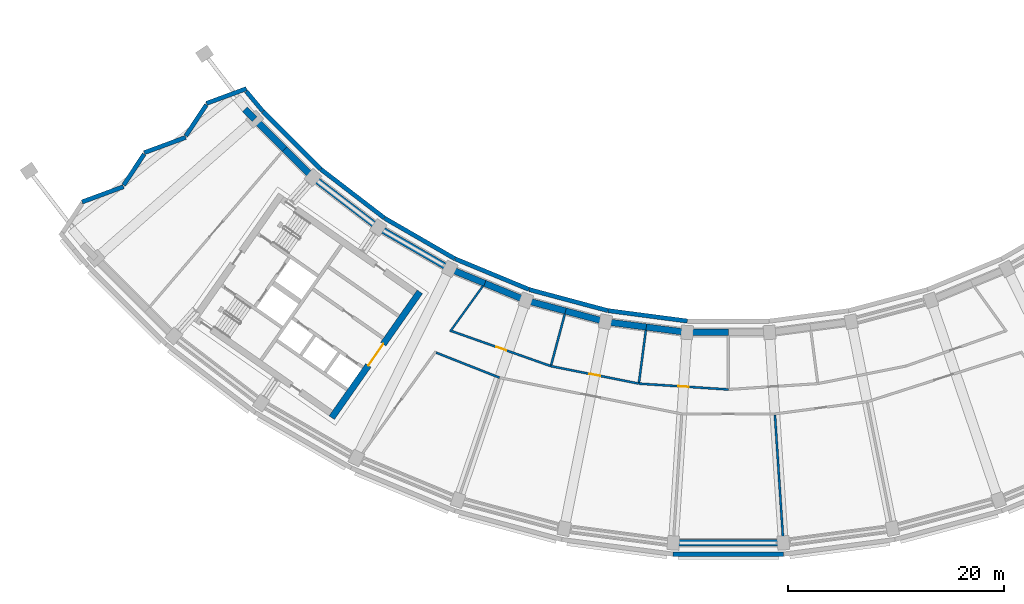
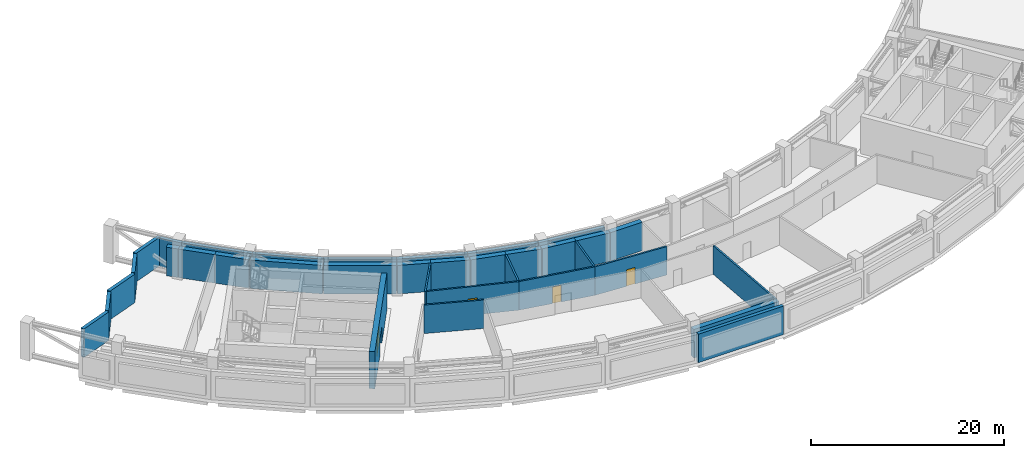
# One storey, part 6 of 24: 35 walls, 4 doors, 4 openings.
"""IFC4 building model written with IfcOpenShell, lengths in metres."""

from ifc_helpers import new_model, si_unit, direction, frame, frame_2d, origin, place, context, subcontext, project, spatial, rectangle, extrude, material, layer, layer_set, type_object, element, fill, save


model = new_model("IFC4")

# Units and contexts
model_context = context("Model", 3, precision=1e-05, world=origin(), true_north=direction((0.0, 1.0)))
body_context = subcontext(model_context, "Body", "Model", "MODEL_VIEW")
ifc_project = project(units=[si_unit("LENGTHUNIT", "METRE"), si_unit("AREAUNIT", "SQUARE_METRE"), si_unit("VOLUMEUNIT", "CUBIC_METRE"), si_unit("PLANEANGLEUNIT", "RADIAN"), si_unit("MASSUNIT", "GRAM", prefix="KILO")], contexts=[model_context])

# Site, building, storey
site_placement = place(None, origin())
site = spatial("IfcSite", under=ifc_project, at=site_placement, CompositionType="ELEMENT")
building_placement = place(site_placement, origin())
building = spatial("IfcBuilding", under=site, at=building_placement, Name="Qamariyya Broadcast Tower", CompositionType="ELEMENT")
storey_placement = place(building_placement, frame((0.0, 0.0, 198.699951171875)))
storey = spatial("IfcBuildingStorey", under=building, at=storey_placement, Name="L47", CompositionType="ELEMENT", Elevation=198.699951171875)

# Wall, opening, door
ifc_material_1 = material(Name="Concrete C60/75", Category="concrete")
ifc_layer_1 = layer(ifc_material_1, 0.60009765625)
ifc_layer_set_1 = layer_set([ifc_layer_1], Name="Core wall 600 mm Concrete C60/75")
wall_type_1 = type_object("IfcWallType", Name="Core wall 600 mm Concrete C60/75", PredefinedType="SHEAR", material=ifc_layer_set_1)
wall_1_placement = place(storey_placement, frame((-36.66748046875, -66.005126953125, 0.0), z_axis=(0.0, 0.0, 1.0), x_axis=(0.573568499524, 0.819157601658, 0.0)))
wall_1 = element("IfcWall", 1, at=wall_1_placement, inside=storey, type_object=wall_type_1, Name="k-W-L47-WA", PredefinedType="SHEAR", context=body_context, shape_type="SweptSolid", body=[
    extrude(rectangle(XDim=14.19970703125, YDim=0.60009765625, at=frame_2d((7.099853515625, 0.0))), origin(), (0.0, 0.0, 1.0), 4.699951171875),
])
opening_1_placement = place(wall_1_placement, frame((5.89990234375, 0.0, 0.0)))
opening_1 = element("IfcOpeningElement", 2, at=opening_1_placement, cuts=wall_1, Name="Opening KD3-W1", PredefinedType="OPENING", context=body_context, shape_type="SweptSolid", body=[
    extrude(rectangle(XDim=2.39990234375, YDim=2.10009765625, at=frame_2d((1.199951171875, 1.050048828125))), frame((0.0, 0.31005859375, 0.0), z_axis=(0.0, -1.0, 0.0), x_axis=(1.0, 0.0, 0.0)), (0.0, 0.0, 1.0), 0.6201171875),
])
ifc_material_2 = material(Name="Steel fire-resisting door leaf", Category="steel")
door_type_1 = type_object("IfcDoorType", Name="Lift lobby door KD3", OperationType="DOUBLE_DOOR_SINGLE_SWING", PredefinedType="DOOR", material=ifc_material_2)
door_1_placement = place(opening_1_placement, origin())
door_1 = element("IfcDoor", 3, at=door_1_placement, inside=storey, type_object=door_type_1, Name="k-W-L47-WA-D1", OperationType="DOUBLE_DOOR_SINGLE_SWING", OverallHeight=2.10009765625, OverallWidth=2.39990234375, PredefinedType="DOOR", context=body_context, shape_type="SweptSolid", body=[
    extrude(rectangle(XDim=2.39990234375, YDim=2.10009765625, at=frame_2d((1.199951171875, 1.050048828125))), frame((0.0, 0.02490234375, 0.0), z_axis=(0.0, -1.0, 0.0), x_axis=(1.0, 0.0, 0.0)), (0.0, 0.0, 1.0), 0.050048828125),
])
fill(opening_1, door_1)

# Wall
ifc_material_3 = material(Name="Masonry block wall", Category="masonry")
ifc_layer_2 = layer(ifc_material_3, 0.199951171875)
ifc_layer_set_2 = layer_set([ifc_layer_2], Name="Plant room wall 200 EI 120")
wall_type_2 = type_object("IfcWallType", Name="Plant room wall 200 EI 120", PredefinedType="PARTITIONING", material=ifc_layer_set_2)
wall_2_placement = place(storey_placement, frame((-27.007568359375, -59.99658203125, 0.0), z_axis=(0.0, 0.0, 1.0), x_axis=(0.930178218815, -0.367108269101, 0.0)))
element("IfcWall", 4, at=wall_2_placement, inside=storey, type_object=wall_type_2, Name="Partition L47-014", PredefinedType="PARTITIONING", context=body_context, shape_type="SweptSolid", body=[
    extrude(rectangle(XDim=6.296630859375, YDim=0.199951171875, at=frame_2d((3.1484375, 0.0))), origin(), (0.0, 0.0, 1.0), 3.60009765625),
])

# Wall, opening, door
wall_3_placement = place(storey_placement, frame((-25.58447265625, -58.0009765625, 0.0), z_axis=(0.0, 0.0, 1.0), x_axis=(0.942976436112, -0.332859491285, 0.0)))
wall_3 = element("IfcWall", 5, at=wall_3_placement, inside=storey, type_object=wall_type_2, Name="Partition L47-016", PredefinedType="PARTITIONING", context=body_context, shape_type="SweptSolid", body=[
    extrude(rectangle(XDim=9.730224609375, YDim=0.199951171875, at=frame_2d((4.865234375, 0.0))), origin(), (0.0, 0.0, 1.0), 3.60009765625),
])
opening_2_placement = place(wall_3_placement, frame((4.364990234375, 0.0, 0.0)))
opening_2 = element("IfcOpeningElement", 6, at=opening_2_placement, cuts=wall_3, Name="Opening L47-D06", PredefinedType="OPENING", context=body_context, shape_type="SweptSolid", body=[
    extrude(rectangle(XDim=1.0, YDim=2.10009765625, at=frame_2d((0.5, 1.050048828125))), frame((0.0, 0.10986328125, 0.0), z_axis=(0.0, -1.0, 0.0), x_axis=(1.0, 0.0, 0.0)), (0.0, 0.0, 1.0), 0.219970703125),
])
ifc_material_4 = material(Name="Insulated metal door leaf")
door_type_2 = type_object("IfcDoorType", Name="Plant door 1000 x 2100 FD120", OperationType="NOTDEFINED", PredefinedType="DOOR", material=ifc_material_4)
door_2_placement = place(opening_2_placement, origin())
door_2 = element("IfcDoor", 7, at=door_2_placement, inside=storey, type_object=door_type_2, Name="Door L47-D06", OperationType="SINGLE_SWING_RIGHT", OverallHeight=2.10009765625, OverallWidth=1.0, PredefinedType="DOOR", context=body_context, shape_type="SweptSolid", body=[
    extrude(rectangle(XDim=1.0, YDim=2.10009765625, at=frame_2d((0.5, 1.050048828125))), frame((0.0, 0.02490234375, 0.0), z_axis=(0.0, -1.0, 0.0), x_axis=(1.0, 0.0, 0.0)), (0.0, 0.0, 1.0), 0.050048828125),
])
fill(opening_2, door_2)

wall_4_placement = place(storey_placement, frame((-16.4091796875, -61.23974609375, 0.0), z_axis=(0.0, 0.0, 1.0), x_axis=(0.98078508005, -0.195091329256, 0.0)))
wall_4 = element("IfcWall", 8, at=wall_4_placement, inside=storey, type_object=wall_type_2, Name="Partition L47-023", PredefinedType="PARTITIONING", context=body_context, shape_type="SweptSolid", body=[
    extrude(rectangle(XDim=8.293212890625, YDim=0.199951171875, at=frame_2d((4.146484375, 0.0))), origin(), (0.0, 0.0, 1.0), 3.60009765625),
])
opening_3_placement = place(wall_4_placement, frame((3.646484375, 0.0, 0.0)))
opening_3 = element("IfcOpeningElement", 9, at=opening_3_placement, cuts=wall_4, Name="Opening L47-D07", PredefinedType="OPENING", context=body_context, shape_type="SweptSolid", body=[
    extrude(rectangle(XDim=1.0, YDim=2.10009765625, at=frame_2d((0.5, 1.050048828125))), frame((0.0, 0.10986328125, 0.0), z_axis=(0.0, -1.0, 0.0), x_axis=(1.0, 0.0, 0.0)), (0.0, 0.0, 1.0), 0.219970703125),
])
door_3_placement = place(opening_3_placement, origin())
door_3 = element("IfcDoor", 10, at=door_3_placement, inside=storey, type_object=door_type_2, Name="Door L47-D07", OperationType="SINGLE_SWING_RIGHT", OverallHeight=2.10009765625, OverallWidth=1.0, PredefinedType="DOOR", context=body_context, shape_type="SweptSolid", body=[
    extrude(rectangle(XDim=1.0, YDim=2.10009765625, at=frame_2d((0.5, 1.050048828125))), frame((0.0, 0.02490234375, 0.0), z_axis=(0.0, -1.0, 0.0), x_axis=(1.0, 0.0, 0.0)), (0.0, 0.0, 1.0), 0.050048828125),
])
fill(opening_3, door_3)

# Wall
wall_5_placement = place(storey_placement, frame((-15.12158203125, -56.4345703125, 0.0), z_axis=(0.0, 0.0, 1.0), x_axis=(-0.258834553275, -0.965921670753, 0.0)))
element("IfcWall", 11, at=wall_5_placement, inside=storey, type_object=wall_type_2, Name="Partition L47-025", PredefinedType="PARTITIONING", context=body_context, shape_type="SweptSolid", body=[
    extrude(rectangle(XDim=4.87451171875, YDim=0.199951171875, at=frame_2d((2.437255859375, 0.0))), origin(), (0.0, 0.0, 1.0), 3.60009765625),
])

# Wall, opening, door
wall_6_placement = place(storey_placement, frame((-8.275390625, -62.857666015625, 0.0), z_axis=(0.0, 0.0, 1.0), x_axis=(0.997860193426, -0.065383747038, 0.0)))
wall_6 = element("IfcWall", 12, at=wall_6_placement, inside=storey, type_object=wall_type_2, Name="Partition L47-028", PredefinedType="PARTITIONING", context=body_context, shape_type="SweptSolid", body=[
    extrude(rectangle(XDim=8.293212890625, YDim=0.199951171875, at=frame_2d((4.146484375, 0.0))), origin(), (0.0, 0.0, 1.0), 3.60009765625),
])
opening_4_placement = place(wall_6_placement, frame((3.646484375, 0.0, 0.0)))
opening_4 = element("IfcOpeningElement", 13, at=opening_4_placement, cuts=wall_6, Name="Opening L47-D08", PredefinedType="OPENING", context=body_context, shape_type="SweptSolid", body=[
    extrude(rectangle(XDim=1.0, YDim=2.10009765625, at=frame_2d((0.5, 1.050048828125))), frame((0.0, 0.10986328125, 0.0), z_axis=(0.0, -1.0, 0.0), x_axis=(1.0, 0.0, 0.0)), (0.0, 0.0, 1.0), 0.219970703125),
])
door_4_placement = place(opening_4_placement, origin())
door_4 = element("IfcDoor", 14, at=door_4_placement, inside=storey, type_object=door_type_2, Name="Door L47-D08", OperationType="SINGLE_SWING_RIGHT", OverallHeight=2.10009765625, OverallWidth=1.0, PredefinedType="DOOR", context=body_context, shape_type="SweptSolid", body=[
    extrude(rectangle(XDim=1.0, YDim=2.10009765625, at=frame_2d((0.5, 1.050048828125))), frame((0.0, 0.02490234375, 0.0), z_axis=(0.0, -1.0, 0.0), x_axis=(1.0, 0.0, 0.0)), (0.0, 0.0, 1.0), 0.050048828125),
])
fill(opening_4, door_4)

# Walls
wall_7_placement = place(storey_placement, frame((-7.6259765625, -57.925537109375, 0.0), z_axis=(0.0, 0.0, 1.0), x_axis=(-0.130516698613, -0.991446111185, 0.0)))
element("IfcWall", 15, at=wall_7_placement, inside=storey, type_object=wall_type_2, Name="Partition L47-029", PredefinedType="PARTITIONING", context=body_context, shape_type="SweptSolid", body=[
    extrude(rectangle(XDim=4.874755859375, YDim=0.199951171875, at=frame_2d((2.4375, 0.0))), origin(), (0.0, 0.0, 1.0), 3.60009765625),
])
wall_8_placement = place(storey_placement, frame((5.0654296875, -77.2841796875, 0.0), z_axis=(0.0, 0.0, 1.0), x_axis=(-0.065399429308, 0.997859165737, 0.0)))
element("IfcWall", 16, at=wall_8_placement, inside=storey, type_object=wall_type_2, Name="Partition L47-040", PredefinedType="PARTITIONING", context=body_context, shape_type="SweptSolid", body=[
    extrude(rectangle(XDim=11.550048828125, YDim=0.199951171875, at=frame_2d((5.77490234375, 0.0))), origin(), (0.0, 0.0, 1.0), 3.60009765625),
])
ifc_material_5 = material(Name="Gypsum board partition")
ifc_layer_3 = layer(ifc_material_5, 0.179931640625)
ifc_layer_set_3 = layer_set([ifc_layer_3], Name="Studio acoustic partition 180 EI 60")
wall_type_3 = type_object("IfcWallType", Name="Studio acoustic partition 180 EI 60", PredefinedType="PARTITIONING", material=ifc_layer_set_3)
wall_9_placement = place(storey_placement, frame((-22.68994140625, -53.831787109375, 0.0), z_axis=(0.0, 0.0, 1.0), x_axis=(-0.584161242343, -0.811637630315, 0.0)))
element("IfcWall", 17, at=wall_9_placement, inside=storey, type_object=wall_type_3, Name="Partition L47-019", PredefinedType="PARTITIONING", context=body_context, shape_type="SweptSolid", body=[
    extrude(rectangle(XDim=5.199951171875, YDim=0.179931640625, at=frame_2d((2.60009765625, 0.0))), origin(), (0.0, 0.0, 1.0), 3.60009765625),
])
ifc_material_6 = material(Name="Terracotta", Category="masonry")
ifc_layer_4 = layer(ifc_material_6, 0.39990234375)
ifc_layer_set_4 = layer_set([ifc_layer_4], Name="Terracotta clad plant wall 400")
wall_type_4 = type_object("IfcWallType", Name="Terracotta clad plant wall 400", PredefinedType="SOLIDWALL", material=ifc_layer_set_4)
wall_10_placement = place(storey_placement, frame((-44.55126953125, -35.58154296875, 0.0), z_axis=(0.0, 0.0, 1.0), x_axis=(-0.938303010861, -0.345814198391, 0.0)))
element("IfcWall", 18, at=wall_10_placement, inside=storey, type_object=wall_type_4, Name="e-wl-L47-capW0", PredefinedType="SOLIDWALL", context=body_context, shape_type="SweptSolid", body=[
    extrude(rectangle(XDim=3.949951171875, YDim=0.39990234375, at=frame_2d((1.97509765625, 0.0))), origin(), (0.0, 0.0, 1.0), 3.60009765625),
])
wall_11_placement = place(storey_placement, frame((-48.263671875, -37.085205078125, 0.0), z_axis=(0.0, 0.0, 1.0), x_axis=(-0.552339362866, -0.833619354519, 0.0)))
element("IfcWall", 19, at=wall_11_placement, inside=storey, type_object=wall_type_4, Name="e-wl-L47-capW1", PredefinedType="SOLIDWALL", context=body_context, shape_type="SweptSolid", body=[
    extrude(rectangle(XDim=3.439697265625, YDim=0.39990234375, at=frame_2d((1.7197265625, 0.0))), origin(), (0.0, 0.0, 1.0), 3.60009765625),
])
wall_12_placement = place(storey_placement, frame((-50.169677734375, -40.090087890625, 0.0), z_axis=(0.0, 0.0, 1.0), x_axis=(-0.938263557137, -0.345921229977, 0.0)))
element("IfcWall", 20, at=wall_12_placement, inside=storey, type_object=wall_type_4, Name="e-wl-L47-capW2", PredefinedType="SOLIDWALL", context=body_context, shape_type="SweptSolid", body=[
    extrude(rectangle(XDim=4.087890625, YDim=0.39990234375, at=frame_2d((2.0439453125, 0.0))), origin(), (0.0, 0.0, 1.0), 3.60009765625),
])
wall_13_placement = place(storey_placement, frame((-54.01123046875, -41.6416015625, 0.0), z_axis=(0.0, 0.0, 1.0), x_axis=(-0.552240074834, -0.833685132258, 0.0)))
element("IfcWall", 21, at=wall_13_placement, inside=storey, type_object=wall_type_4, Name="e-wl-L47-capW3", PredefinedType="SOLIDWALL", context=body_context, shape_type="SweptSolid", body=[
    extrude(rectangle(XDim=3.4384765625, YDim=0.39990234375, at=frame_2d((1.71923828125, 0.0))), origin(), (0.0, 0.0, 1.0), 3.60009765625),
])
wall_14_placement = place(storey_placement, frame((-55.916015625, -44.64599609375, 0.0), z_axis=(0.0, 0.0, 1.0), x_axis=(-0.938253377417, -0.345948839809, 0.0)))
element("IfcWall", 22, at=wall_14_placement, inside=storey, type_object=wall_type_4, Name="e-wl-L47-capW4", PredefinedType="SOLIDWALL", context=body_context, shape_type="SweptSolid", body=[
    extrude(rectangle(XDim=4.0888671875, YDim=0.39990234375, at=frame_2d((2.04443359375, 0.0))), origin(), (0.0, 0.0, 1.0), 3.60009765625),
])
wall_15_placement = place(storey_placement, frame((-43.02685546875, -37.688720703125, 0.0), z_axis=(0.0, 0.0, 1.0), x_axis=(-0.640513668318, 0.767946769443, 0.0)))
element("IfcWall", 23, at=wall_15_placement, inside=storey, type_object=wall_type_4, Name="e-wl-L47-in00", PredefinedType="SOLIDWALL", context=body_context, shape_type="SweptSolid", body=[
    extrude(rectangle(XDim=2.40625, YDim=0.39990234375, at=frame_2d((1.203125, 0.0))), origin(), (0.0, 0.0, 1.0), 3.60009765625),
])
wall_16_placement = place(storey_placement, frame((-37.697265625, -43.023193359375, 0.0), z_axis=(0.0, 0.0, 1.0), x_axis=(-0.707106781187, 0.707106781187, 0.0)))
element("IfcWall", 24, at=wall_16_placement, inside=storey, type_object=wall_type_4, Name="e-wl-L47-in10", PredefinedType="SOLIDWALL", context=body_context, shape_type="SweptSolid", body=[
    extrude(rectangle(XDim=7.52294921875, YDim=0.39990234375, at=frame_2d((3.761474609375, 0.0))), origin(), (0.0, 0.0, 1.0), 3.60009765625),
])
wall_17_placement = place(storey_placement, frame((-31.819091796875, -47.529541015625, 0.0), z_axis=(0.0, 0.0, 1.0), x_axis=(-0.79334647843, 0.608770371457, 0.0)))
element("IfcWall", 25, at=wall_17_placement, inside=storey, type_object=wall_type_4, Name="e-wl-L47-in20", PredefinedType="SOLIDWALL", context=body_context, shape_type="SweptSolid", body=[
    extrude(rectangle(XDim=7.380615234375, YDim=0.39990234375, at=frame_2d((3.6904296875, 0.0))), origin(), (0.0, 0.0, 1.0), 3.60009765625),
])
wall_18_placement = place(storey_placement, frame((-25.27734375, -51.31396484375, 0.0), z_axis=(0.0, 0.0, 1.0), x_axis=(-0.866028517328, 0.499994607145, 0.0)))
element("IfcWall", 26, at=wall_18_placement, inside=storey, type_object=wall_type_4, Name="e-wl-L47-in30", PredefinedType="SOLIDWALL", context=body_context, shape_type="SweptSolid", body=[
    extrude(rectangle(XDim=7.5322265625, YDim=0.39990234375, at=frame_2d((3.76611328125, 0.0))), origin(), (0.0, 0.0, 1.0), 3.60009765625),
])
wall_19_placement = place(storey_placement, frame((-18.433349609375, -54.1455078125, 0.0), z_axis=(0.0, 0.0, 1.0), x_axis=(-0.923867659443, 0.382712095229, 0.0)))
element("IfcWall", 27, at=wall_19_placement, inside=storey, type_object=wall_type_4, Name="e-wl-L47-in40", PredefinedType="SOLIDWALL", context=body_context, shape_type="SweptSolid", body=[
    extrude(rectangle(XDim=7.380859375, YDim=0.39990234375, at=frame_2d((3.6904296875, 0.0))), origin(), (0.0, 0.0, 1.0), 3.60009765625),
])
wall_20_placement = place(storey_placement, frame((-11.135009765625, -56.10791015625, 0.0), z_axis=(0.0, 0.0, 1.0), x_axis=(-0.965927073219, 0.258814391452, 0.0)))
element("IfcWall", 28, at=wall_20_placement, inside=storey, type_object=wall_type_4, Name="e-wl-L47-in50", PredefinedType="SOLIDWALL", context=body_context, shape_type="SweptSolid", body=[
    extrude(rectangle(XDim=7.5322265625, YDim=0.39990234375, at=frame_2d((3.76611328125, 0.0))), origin(), (0.0, 0.0, 1.0), 3.60009765625),
])
wall_21_placement = place(storey_placement, frame((-3.79150390625, -57.0712890625, 0.0), z_axis=(0.0, 0.0, 1.0), x_axis=(-0.99144438474, 0.130529812564, 0.0)))
element("IfcWall", 29, at=wall_21_placement, inside=storey, type_object=wall_type_4, Name="e-wl-L47-in60", PredefinedType="SOLIDWALL", context=body_context, shape_type="SweptSolid", body=[
    extrude(rectangle(XDim=7.380615234375, YDim=0.39990234375, at=frame_2d((3.6904296875, 0.0))), origin(), (0.0, 0.0, 1.0), 3.60009765625),
])
wall_22_placement = place(storey_placement, frame((-5.10302734375, -78.630859375, 0.0), z_axis=(0.0, 0.0, 1.0), x_axis=(1.0, 0.0, 0.0)))
element("IfcWall", 30, at=wall_22_placement, inside=storey, type_object=wall_type_4, Name="e-wl-L47-out70", PredefinedType="SOLIDWALL", context=body_context, shape_type="SweptSolid", body=[
    extrude(rectangle(XDim=10.2060546875, YDim=0.39990234375, at=frame_2d((5.10302734375, 0.0))), origin(), (0.0, 0.0, 1.0), 3.60009765625),
])
ifc_layer_5 = layer(ifc_material_3, 0.60009765625)
ifc_layer_set_5 = layer_set([ifc_layer_5], Name="Truss casing wall 600 EI 120")
wall_type_5 = type_object("IfcWallType", Name="Truss casing wall 600 EI 120", PredefinedType="PARTITIONING", material=ifc_layer_set_5)
wall_23_placement = place(storey_placement, frame((-44.69970703125, -37.501953125, 0.0), z_axis=(0.0, 0.0, 1.0), x_axis=(0.707106781187, -0.707106781187, 0.0)))
element("IfcWall", 31, at=wall_23_placement, inside=storey, type_object=wall_type_5, Name="Partition L47-005", PredefinedType="PARTITIONING", context=body_context, shape_type="SweptSolid", body=[
    extrude(rectangle(XDim=1.27685546875, YDim=0.60009765625, at=frame_2d((0.638427734375, 0.0))), origin(), (0.0, 0.0, 1.0), 3.60009765625),
])
wall_24_placement = place(storey_placement, frame((-43.79248046875, -38.408935546875, 0.0), z_axis=(0.0, 0.0, 1.0), x_axis=(0.707106781187, -0.707106781187, 0.0)))
element("IfcWall", 32, at=wall_24_placement, inside=storey, type_object=wall_type_5, Name="Partition L47-006", PredefinedType="PARTITIONING", context=body_context, shape_type="SweptSolid", body=[
    extrude(rectangle(XDim=3.904541015625, YDim=0.60009765625, at=frame_2d((1.9521484375, 0.0))), origin(), (0.0, 0.0, 1.0), 3.60009765625),
])
wall_25_placement = place(storey_placement, frame((-41.031494140625, -41.169921875, 0.0), z_axis=(0.0, 0.0, 1.0), x_axis=(0.707106781187, -0.707106781187, 0.0)))
element("IfcWall", 33, at=wall_25_placement, inside=storey, type_object=wall_type_5, Name="Partition L47-009", PredefinedType="PARTITIONING", context=body_context, shape_type="SweptSolid", body=[
    extrude(rectangle(XDim=3.689208984375, YDim=0.60009765625, at=frame_2d((1.8447265625, 0.0))), origin(), (0.0, 0.0, 1.0), 3.60009765625),
])
for number, where, z_axis, x_axis, name in (
    (34, (-38.388916015625, -43.808349609375, 0.0), (0.0, 0.0, 1.0), (0.793356751967, -0.6087569828, 0.0), "Partition L47-010"),
    (35, (-32.34228515625, -48.4443359375, 0.0), (0.0, 0.0, 1.0), (0.866020793316, -0.500007985481, 0.0), "Partition L47-012"),
):
    element("IfcWall", number, at=place(storey_placement, frame(where, z_axis=z_axis, x_axis=x_axis)), inside=storey, type_object=wall_type_5, Name=name, PredefinedType="PARTITIONING", context=body_context, shape_type="SweptSolid", body=[
        extrude(rectangle(XDim=7.57421875, YDim=0.60009765625, at=frame_2d((3.787109375, 0.0))), origin(), (0.0, 0.0, 1.0), 3.60009765625),
    ])
wall_26_placement = place(storey_placement, frame((-25.742431640625, -52.25146484375, 0.0), z_axis=(0.0, 0.0, 1.0), x_axis=(0.923877143095, -0.382689200876, 0.0)))
element("IfcWall", 36, at=wall_26_placement, inside=storey, type_object=wall_type_5, Name="Partition L47-015", PredefinedType="PARTITIONING", context=body_context, shape_type="SweptSolid", body=[
    extrude(rectangle(XDim=3.493408203125, YDim=0.60009765625, at=frame_2d((1.74658203125, 0.0))), origin(), (0.0, 0.0, 1.0), 3.60009765625),
])
wall_27_placement = place(storey_placement, frame((-22.514892578125, -53.58837890625, 0.0), z_axis=(0.0, 0.0, 1.0), x_axis=(0.923885578529, -0.382668835661, 0.0)))
element("IfcWall", 37, at=wall_27_placement, inside=storey, type_object=wall_type_5, Name="Partition L47-020", PredefinedType="PARTITIONING", context=body_context, shape_type="SweptSolid", body=[
    extrude(rectangle(XDim=4.08056640625, YDim=0.60009765625, at=frame_2d((2.040283203125, 0.0))), origin(), (0.0, 0.0, 1.0), 3.60009765625),
])
wall_28_placement = place(storey_placement, frame((-18.701904296875, -55.16455078125, 0.0), z_axis=(0.0, 0.0, 1.0), x_axis=(0.965920713003, -0.258838127392, 0.0)))
element("IfcWall", 38, at=wall_28_placement, inside=storey, type_object=wall_type_5, Name="Partition L47-022", PredefinedType="PARTITIONING", context=body_context, shape_type="SweptSolid", body=[
    extrude(rectangle(XDim=3.787109375, YDim=0.60009765625, at=frame_2d((1.8935546875, 0.0))), origin(), (0.0, 0.0, 1.0), 3.60009765625),
])
wall_29_placement = place(storey_placement, frame((-15.0439453125, -56.144775390625, 0.0), z_axis=(0.0, 0.0, 1.0), x_axis=(0.965936829447, -0.258777977267, 0.0)))
element("IfcWall", 39, at=wall_29_placement, inside=storey, type_object=wall_type_5, Name="Partition L47-026", PredefinedType="PARTITIONING", context=body_context, shape_type="SweptSolid", body=[
    extrude(rectangle(XDim=3.786865234375, YDim=0.60009765625, at=frame_2d((1.8935546875, 0.0))), origin(), (0.0, 0.0, 1.0), 3.60009765625),
])
for number, where, z_axis, x_axis, name in (
    (40, (-11.341552734375, -57.1337890625, 0.0), (0.0, 0.0, 1.0), (0.991450564869, -0.130482862559, 0.0), "Partition L47-027"),
    (41, (-7.5869140625, -57.6279296875, 0.0), (0.0, 0.0, 1.0), (0.991442222886, -0.130546231962, 0.0), "Partition L47-030"),
):
    element("IfcWall", number, at=place(storey_placement, frame(where, z_axis=z_axis, x_axis=x_axis)), inside=storey, type_object=wall_type_5, Name=name, PredefinedType="PARTITIONING", context=body_context, shape_type="SweptSolid", body=[
        extrude(rectangle(XDim=3.787109375, YDim=0.60009765625, at=frame_2d((1.8935546875, 0.0))), origin(), (0.0, 0.0, 1.0), 3.60009765625),
    ])
wall_30_placement = place(storey_placement, frame((-5.085205078125, -77.58349609375, 0.0), z_axis=(0.0, 0.0, 1.0), x_axis=(1.0, 0.0, 0.0)))
element("IfcWall", 42, at=wall_30_placement, inside=storey, type_object=wall_type_5, Name="Partition L47-032", PredefinedType="PARTITIONING", context=body_context, shape_type="SweptSolid", body=[
    extrude(rectangle(XDim=10.17041015625, YDim=0.60009765625, at=frame_2d((5.085205078125, 0.0))), origin(), (0.0, 0.0, 1.0), 3.60009765625),
])
wall_31_placement = place(storey_placement, frame((-3.787109375, -58.125244140625, 0.0), z_axis=(0.0, 0.0, 1.0), x_axis=(1.0, 0.0, 0.0)))
element("IfcWall", 43, at=wall_31_placement, inside=storey, type_object=wall_type_5, Name="Partition L47-034", PredefinedType="PARTITIONING", context=body_context, shape_type="SweptSolid", body=[
    extrude(rectangle(XDim=3.787109375, YDim=0.60009765625, at=frame_2d((1.8935546875, 0.0))), origin(), (0.0, 0.0, 1.0), 3.60009765625),
])

save(model, "model.ifc")
